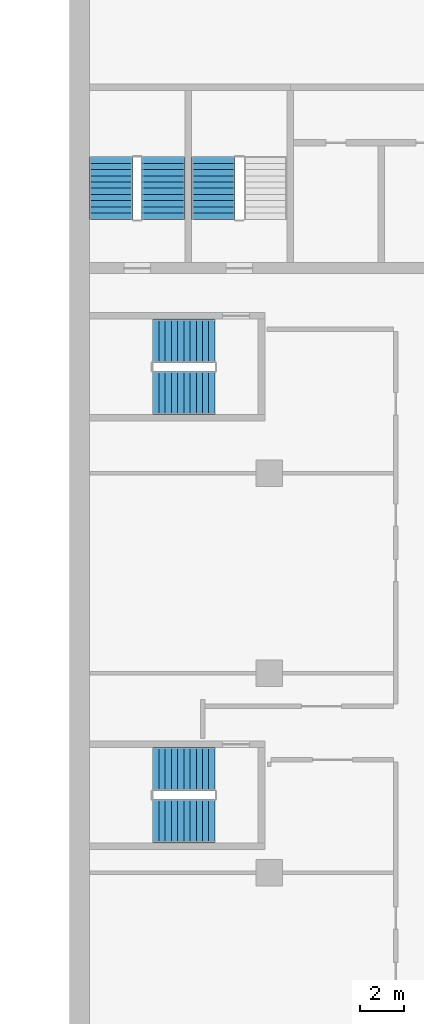
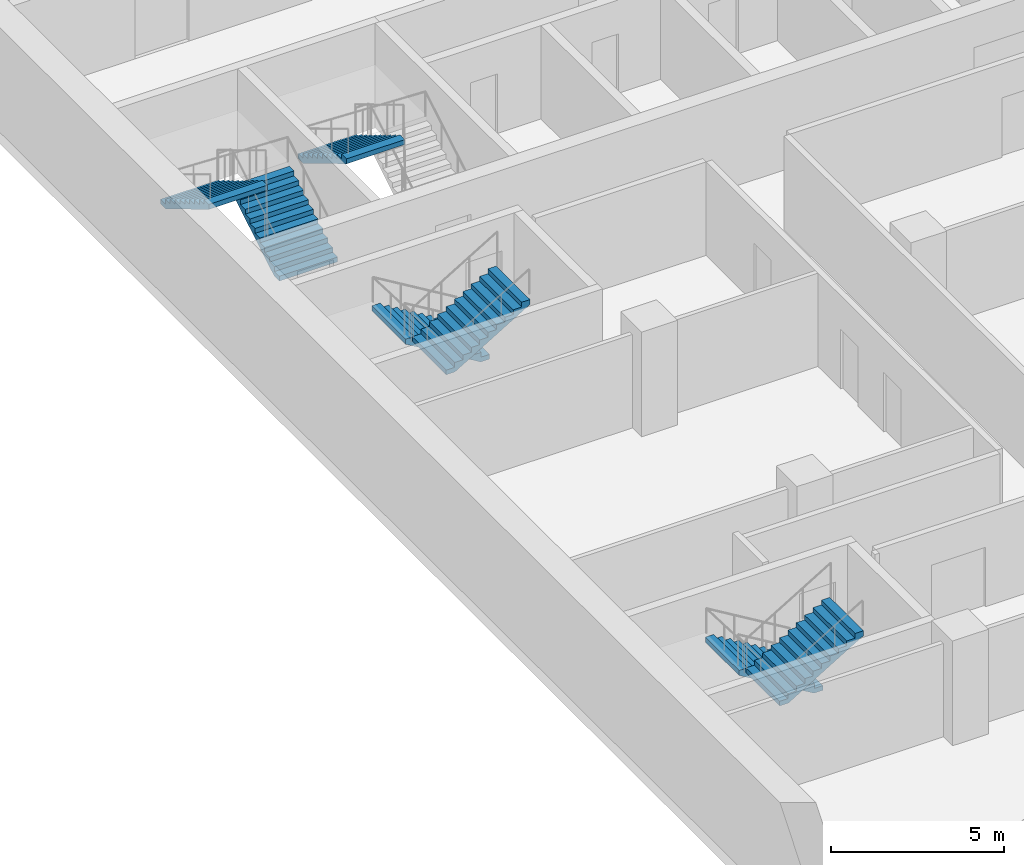
# One storey, part 15 of 22: 7 stair flights, 4 elements without a shape of their own.
"""IFC4 building model written with IfcOpenShell, lengths in metres."""

import ifcopenshell
import ifcopenshell.guid

model = None  # the IFC model being written
_history = None  # IfcOwnerHistory: only IFC2X3 demands one
_inside = {}  # id of a spatial element -> (the spatial element, [elements in it])
_under = {}  # id of a project, library or spatial element -> (it, [spatial elements below it])
_declared = {}  # id of a project -> (the project, [libraries it declares])
_typed = {}  # id of a type object -> (the type object, [elements of that type])
_made_of = {}  # id of a material, layer set ... -> (it, [elements and type objects made of it])


def new_model(schema):
    """Start an empty IFC model of exactly this schema.

    Asked for "IFC4X3", IfcOpenShell would pick the latest addendum, in which some entities
    have other attributes; the version numbers below select the first issue.
    IFC2X3 requires an IfcOwnerHistory on every rooted entity: one is made here for all.
    """
    global model, _history
    if schema == "IFC4X3":
        model = ifcopenshell.file(schema_version=(4, 3, 0, 0))
    else:
        model = ifcopenshell.file(schema=schema)
    _inside.clear()
    _under.clear()
    _declared.clear()
    _typed.clear()
    _made_of.clear()
    _history = None
    if model.schema == "IFC2X3":
        org = make("IfcOrganization", Name="unknown")
        user = make(
            "IfcPersonAndOrganization",
            ThePerson=make("IfcPerson", FamilyName="unknown"),
            TheOrganization=org,
        )
        app = make(
            "IfcApplication",
            ApplicationDeveloper=org,
            Version="unknown",
            ApplicationFullName="unknown",
            ApplicationIdentifier="unknown",
        )
        _history = make(
            "IfcOwnerHistory",
            OwningUser=user,
            OwningApplication=app,
            ChangeAction="ADDED",
            CreationDate=0,
        )
    return model


def make(cls, **values):
    """One entity of the class cls with the attributes given. An attribute that is None is left unset."""
    return model.create_entity(
        cls, **{name: value for name, value in values.items() if value is not None}
    )


def rooted(cls, **values):
    """An entity with a GlobalId (a new one), such as an element, a storey or a relation."""
    return make(cls, GlobalId=ifcopenshell.guid.new(), OwnerHistory=_history, **values)


def si_unit(unit_type, name, prefix=None):
    """IfcSIUnit, for example si_unit("LENGTHUNIT", "METRE", prefix="MILLI")."""
    return make("IfcSIUnit", UnitType=unit_type, Prefix=prefix, Name=name)


def assignment(units):
    """IfcUnitAssignment: the units of a project."""
    return None if units is None else make("IfcUnitAssignment", Units=units)


def point(xyz):
    """IfcCartesianPoint."""
    return None if xyz is None else make("IfcCartesianPoint", Coordinates=xyz)


def direction(xyz):
    """IfcDirection."""
    return None if xyz is None else make("IfcDirection", DirectionRatios=xyz)


def frame(location, z_axis=None, x_axis=None):
    """IfcAxis2Placement3D, a coordinate frame: its origin and axes. An axis left out is left unset."""
    return make(
        "IfcAxis2Placement3D",
        Location=point(location),
        Axis=direction(z_axis),
        RefDirection=direction(x_axis),
    )


def origin():
    """The frame at (0, 0, 0) with its axes left unset."""
    return frame((0.0, 0.0, 0.0))


def place(relative_to, where):
    """IfcLocalPlacement: puts the frame where relative to a parent placement (None: the world)."""
    return make(
        "IfcLocalPlacement", PlacementRelTo=relative_to, RelativePlacement=where
    )


def context(
    kind, dimensions, precision=None, world=None, true_north=None, identifier=None
):
    """IfcGeometricRepresentationContext, for example the 3D "Model" context."""
    return make(
        "IfcGeometricRepresentationContext",
        ContextIdentifier=identifier,
        ContextType=kind,
        CoordinateSpaceDimension=dimensions,
        Precision=precision,
        WorldCoordinateSystem=world,
        TrueNorth=true_north,
    )


def subcontext(parent, identifier, kind, view, scale=None):
    """IfcGeometricRepresentationSubContext, for example "Body" below "Model"."""
    return make(
        "IfcGeometricRepresentationSubContext",
        ContextIdentifier=identifier,
        ContextType=kind,
        ParentContext=parent,
        TargetScale=scale,
        TargetView=view,
    )


def project(units=None, contexts=None):
    """IfcProject with its units and contexts."""
    return rooted(
        "IfcProject",
        Name="project",
        RepresentationContexts=contexts,
        UnitsInContext=assignment(units),
    )


def spatial(cls, under=None, at=None, **own):
    """A site, building, storey or space (cls), placed at a placement, below another one or the project."""
    s = rooted(cls, ObjectPlacement=at, **own)
    if under is not None:
        _under.setdefault(under.id(), (under, []))[1].append(s)
    return s


def polyline(points):
    """IfcPolyline through the points."""
    return make("IfcPolyline", Points=[point(p) for p in points])


def outline(outer, holes=None, kind="AREA"):
    """IfcArbitraryClosedProfileDef: a profile drawn as a closed curve; with holes, ...WithVoids."""
    if holes is None:
        return make("IfcArbitraryClosedProfileDef", ProfileType=kind, OuterCurve=outer)
    return make(
        "IfcArbitraryProfileDefWithVoids",
        ProfileType=kind,
        OuterCurve=outer,
        InnerCurves=holes,
    )


def extrude(swept, where, along, depth):
    """IfcExtrudedAreaSolid: the profile swept, set in the frame where, extruded along a direction by depth."""
    return make(
        "IfcExtrudedAreaSolid",
        SweptArea=swept,
        Position=where,
        ExtrudedDirection=direction(along),
        Depth=depth,
    )


def shape(context_of_items, identifier, shape_type, items):
    """IfcShapeRepresentation: the items that make up one representation, for example the "Body"."""
    return make(
        "IfcShapeRepresentation",
        ContextOfItems=context_of_items,
        RepresentationIdentifier=identifier,
        RepresentationType=shape_type,
        Items=items,
    )


def material(Name=None, Category=None):
    """IfcMaterial."""
    return make("IfcMaterial", Name=Name, Category=Category)


def made_of(thing, what):
    """Note that an element or type object is made of a material, layer set ...; save() writes the relation."""
    if what is not None:
        _made_of.setdefault(what.id(), (what, []))[1].append(thing)
    return thing


def type_object(cls, material=None, **own):
    """A type object (cls), such as IfcWallType, which elements share."""
    return made_of(rooted(cls, **own), material)


def element(
    cls,
    number,
    at=None,
    inside=None,
    cuts=None,
    type_object=None,
    material=None,
    context=None,
    identifier="Body",
    shape_type=None,
    held_by="IfcProductDefinitionShape",
    body=None,
    shapes=None,
    **own,
):
    """One element of the class cls, such as IfcWall. Its Tag is "e" and its number.

    at: its placement. inside: the storey or other place that contains it. cuts: it is an
    opening in that element (IfcRelVoidsElement). A single representation is given by context,
    identifier, shape_type and body (its items); several are given by shapes. held_by: the class
    of the entity that holds the representations. save() writes the other relations.
    """
    e = rooted(cls, Tag="e%d" % number, ObjectPlacement=at, **own)
    if body is not None:
        shapes = [shape(context, identifier, shape_type, body)]
    if shapes is not None:
        e.Representation = make(held_by, Representations=shapes)
    if inside is not None:
        _inside.setdefault(inside.id(), (inside, []))[1].append(e)
    if cuts is not None:
        rooted(
            "IfcRelVoidsElement", RelatingBuildingElement=cuts, RelatedOpeningElement=e
        )
    if type_object is not None:
        _typed.setdefault(type_object.id(), (type_object, []))[1].append(e)
    return made_of(e, material)


def aggregate(whole, parts):
    """IfcRelAggregates: a whole, such as a stair, and the parts it consists of."""
    return rooted("IfcRelAggregates", RelatingObject=whole, RelatedObjects=parts)


def save(model, path):
    """Write the relations noted so far, then the file.

    IfcRelAggregates (storeys below a building ...), IfcRelContainedInSpatialStructure (elements
    in a storey), IfcRelDefinesByType, IfcRelAssociatesMaterial and IfcRelDeclares: one each for
    every whole, place, type object, material and project.
    """
    for whole, parts in _under.values():
        aggregate(whole, parts)
    for where, things in _inside.values():
        rooted(
            "IfcRelContainedInSpatialStructure",
            RelatedElements=things,
            RelatingStructure=where,
        )
    for kind, things in _typed.values():
        rooted("IfcRelDefinesByType", RelatedObjects=things, RelatingType=kind)
    for what, things in _made_of.values():
        rooted("IfcRelAssociatesMaterial", RelatedObjects=things, RelatingMaterial=what)
    for by, libraries in _declared.values():
        rooted("IfcRelDeclares", RelatingContext=by, RelatedDefinitions=libraries)
    model.write(path)


model = new_model("IFC4")

# Units and contexts
model_context = context("Model", 3, precision=1e-05, world=origin(), true_north=direction((0.0, 1.0)))
body_context = subcontext(model_context, "Body", "Model", "MODEL_VIEW")
ifc_project = project(units=[si_unit("LENGTHUNIT", "METRE"), si_unit("AREAUNIT", "SQUARE_METRE"), si_unit("VOLUMEUNIT", "CUBIC_METRE"), si_unit("PLANEANGLEUNIT", "RADIAN"), si_unit("MASSUNIT", "GRAM", prefix="KILO")], contexts=[model_context])

# Site, building, storey
site_placement = place(None, origin())
site = spatial("IfcSite", under=ifc_project, at=site_placement, CompositionType="ELEMENT")
building_placement = place(site_placement, origin())
building = spatial("IfcBuilding", under=site, at=building_placement, Name="Hunhe Ridgeline Campus", CompositionType="ELEMENT")
storey_placement = place(building_placement, frame((0.0, 0.0, 133.800048828125)))
storey = spatial("IfcBuildingStorey", under=building, at=storey_placement, Name="L33", CompositionType="ELEMENT", Elevation=133.800048828125)

# Stair, stair flights
ifc_material = material(Name="Concrete C40", Category="concrete")
stair_type = type_object("IfcStairType", Name="Reinforced concrete dog-leg stair 1950 Concrete C40", PredefinedType="HALF_TURN_STAIR", material=ifc_material)
stair_1_placement = place(storey_placement, origin())
stair_1 = element("IfcStair", 1, at=stair_1_placement, inside=storey, type_object=stair_type, Name="L33 S3", PredefinedType="HALF_TURN_STAIR")
stair_flight_type = type_object("IfcStairFlightType", Name="Reinforced concrete stair flight 1950 Concrete C40", PredefinedType="STRAIGHT", material=ifc_material)
stair_flight_1_placement = place(storey_placement, frame((4.22509765625, 65.449951171875, 0.0), z_axis=(0.0, 0.0, 1.0), x_axis=(0.0, 1.0, 0.0)))
stair_flight_1 = element("IfcStairFlight", 2, at=stair_flight_1_placement, type_object=stair_flight_type, Name="ST3 flight 1", NumberOfRisers=11, NumberOfTreads=10, PredefinedType="STRAIGHT", RiserHeight=0.168181818, TreadLength=0.28, context=body_context, shape_type="SweptSolid", body=[
    extrude(outline(polyline([(0.0, 0.0), (0.0, 0.168212890625), (0.280029296875, 0.168212890625), (0.280029296875, 0.33642578125), (0.56005859375, 0.33642578125), (0.56005859375, 0.504638671875), (0.840087890625, 0.504638671875), (0.840087890625, 0.672607421875), (1.1201171875, 0.672607421875), (1.1201171875, 0.8408203125), (1.39990234375, 0.8408203125), (1.39990234375, 1.009033203125), (1.679931640625, 1.009033203125), (1.679931640625, 1.17724609375), (1.9599609375, 1.17724609375), (1.9599609375, 1.345458984375), (2.239990234375, 1.345458984375), (2.239990234375, 1.513671875), (2.52001953125, 1.513671875), (2.52001953125, 1.681884765625), (2.800048828125, 1.681884765625), (2.800048828125, 1.85009765625), (2.800048828125, 1.5068359375), (0.291015625, 0.0), (0.0, 0.0)])), frame((0.0, 0.97509765625, 0.0), z_axis=(0.0, -1.0, 0.0), x_axis=(1.0, 0.0, 0.0)), (0.0, 0.0, 1.0), 1.949951171875),
    extrude(outline(polyline([(0.030029296875, 0.030029296875), (0.030029296875, 0.13818359375), (0.31005859375, 0.13818359375), (0.31005859375, 0.306396484375), (0.590087890625, 0.306396484375), (0.590087890625, 0.474609375), (0.8701171875, 0.474609375), (0.8701171875, 0.642578125), (1.14990234375, 0.642578125), (1.14990234375, 0.810791015625), (1.429931640625, 0.810791015625), (1.429931640625, 0.97900390625), (1.7099609375, 0.97900390625), (1.7099609375, 1.147216796875), (1.989990234375, 1.147216796875), (1.989990234375, 1.3154296875), (2.27001953125, 1.3154296875), (2.27001953125, 1.483642578125), (2.550048828125, 1.483642578125), (2.550048828125, 1.65185546875), (2.77001953125, 1.65185546875), (2.77001953125, 1.52392578125), (0.28271484375, 0.030029296875), (0.030029296875, 0.030029296875)])), frame((0.0, -0.070068359375, 0.0), z_axis=(0.0, -1.0, 0.0), x_axis=(1.0, 0.0, 0.0)), (0.0, 0.0, 1.0), 0.019775390625),
    extrude(outline(polyline([(0.030029296875, 0.030029296875), (0.030029296875, 0.13818359375), (0.31005859375, 0.13818359375), (0.31005859375, 0.306396484375), (0.590087890625, 0.306396484375), (0.590087890625, 0.474609375), (0.8701171875, 0.474609375), (0.8701171875, 0.642578125), (1.14990234375, 0.642578125), (1.14990234375, 0.810791015625), (1.429931640625, 0.810791015625), (1.429931640625, 0.97900390625), (1.7099609375, 0.97900390625), (1.7099609375, 1.147216796875), (1.989990234375, 1.147216796875), (1.989990234375, 1.3154296875), (2.27001953125, 1.3154296875), (2.27001953125, 1.483642578125), (2.550048828125, 1.483642578125), (2.550048828125, 1.65185546875), (2.77001953125, 1.65185546875), (2.77001953125, 1.52392578125), (0.28271484375, 0.030029296875), (0.030029296875, 0.030029296875)])), frame((0.0, 0.010009765625, 0.0), z_axis=(0.0, -1.0, 0.0), x_axis=(1.0, 0.0, 0.0)), (0.0, 0.0, 1.0), 0.019775390625),
    extrude(outline(polyline([(0.030029296875, 0.030029296875), (0.030029296875, 0.13818359375), (0.31005859375, 0.13818359375), (0.31005859375, 0.306396484375), (0.590087890625, 0.306396484375), (0.590087890625, 0.474609375), (0.8701171875, 0.474609375), (0.8701171875, 0.642578125), (1.14990234375, 0.642578125), (1.14990234375, 0.810791015625), (1.429931640625, 0.810791015625), (1.429931640625, 0.97900390625), (1.7099609375, 0.97900390625), (1.7099609375, 1.147216796875), (1.989990234375, 1.147216796875), (1.989990234375, 1.3154296875), (2.27001953125, 1.3154296875), (2.27001953125, 1.483642578125), (2.550048828125, 1.483642578125), (2.550048828125, 1.65185546875), (2.77001953125, 1.65185546875), (2.77001953125, 1.52392578125), (0.28271484375, 0.030029296875), (0.030029296875, 0.030029296875)])), frame((0.0, 0.090087890625, 0.0), z_axis=(0.0, -1.0, 0.0), x_axis=(1.0, 0.0, 0.0)), (0.0, 0.0, 1.0), 0.019775390625),
])
stair_flight_2_placement = place(storey_placement, frame((1.875, 68.25, 1.849853515625), z_axis=(0.0, 0.0, 1.0), x_axis=(0.0, -1.0, 0.0)))
stair_flight_2 = element("IfcStairFlight", 3, at=stair_flight_2_placement, type_object=stair_flight_type, Name="ST3 flight 2", NumberOfRisers=11, NumberOfTreads=10, PredefinedType="STRAIGHT", RiserHeight=0.168181818, TreadLength=0.28, context=body_context, shape_type="SweptSolid", body=[
    extrude(outline(polyline([(0.0, 0.0), (0.0, 0.168212890625), (0.280029296875, 0.168212890625), (0.280029296875, 0.33642578125), (0.56005859375, 0.33642578125), (0.56005859375, 0.504638671875), (0.840087890625, 0.504638671875), (0.840087890625, 0.672607421875), (1.1201171875, 0.672607421875), (1.1201171875, 0.8408203125), (1.39990234375, 0.8408203125), (1.39990234375, 1.009033203125), (1.679931640625, 1.009033203125), (1.679931640625, 1.17724609375), (1.9599609375, 1.17724609375), (1.9599609375, 1.345458984375), (2.239990234375, 1.345458984375), (2.239990234375, 1.513671875), (2.52001953125, 1.513671875), (2.52001953125, 1.681884765625), (2.800048828125, 1.681884765625), (2.800048828125, 1.85009765625), (2.800048828125, 1.5068359375), (0.291015625, 0.0), (0.0, 0.0)])), frame((0.0, 0.97509765625, 0.0), z_axis=(0.0, -1.0, 0.0), x_axis=(1.0, 0.0, 0.0)), (0.0, 0.0, 1.0), 1.949951171875),
    extrude(outline(polyline([(0.030029296875, 0.030029296875), (0.030029296875, 0.13818359375), (0.31005859375, 0.13818359375), (0.31005859375, 0.306396484375), (0.590087890625, 0.306396484375), (0.590087890625, 0.474609375), (0.8701171875, 0.474609375), (0.8701171875, 0.642578125), (1.14990234375, 0.642578125), (1.14990234375, 0.810791015625), (1.429931640625, 0.810791015625), (1.429931640625, 0.97900390625), (1.7099609375, 0.97900390625), (1.7099609375, 1.147216796875), (1.989990234375, 1.147216796875), (1.989990234375, 1.3154296875), (2.27001953125, 1.3154296875), (2.27001953125, 1.483642578125), (2.550048828125, 1.483642578125), (2.550048828125, 1.65185546875), (2.77001953125, 1.65185546875), (2.77001953125, 1.52392578125), (0.28271484375, 0.030029296875), (0.030029296875, 0.030029296875)])), frame((0.0, -0.070068359375, 0.0), z_axis=(0.0, -1.0, 0.0), x_axis=(1.0, 0.0, 0.0)), (0.0, 0.0, 1.0), 0.019775390625),
    extrude(outline(polyline([(0.030029296875, 0.030029296875), (0.030029296875, 0.13818359375), (0.31005859375, 0.13818359375), (0.31005859375, 0.306396484375), (0.590087890625, 0.306396484375), (0.590087890625, 0.474609375), (0.8701171875, 0.474609375), (0.8701171875, 0.642578125), (1.14990234375, 0.642578125), (1.14990234375, 0.810791015625), (1.429931640625, 0.810791015625), (1.429931640625, 0.97900390625), (1.7099609375, 0.97900390625), (1.7099609375, 1.147216796875), (1.989990234375, 1.147216796875), (1.989990234375, 1.3154296875), (2.27001953125, 1.3154296875), (2.27001953125, 1.483642578125), (2.550048828125, 1.483642578125), (2.550048828125, 1.65185546875), (2.77001953125, 1.65185546875), (2.77001953125, 1.52392578125), (0.28271484375, 0.030029296875), (0.030029296875, 0.030029296875)])), frame((0.0, 0.010009765625, 0.0), z_axis=(0.0, -1.0, 0.0), x_axis=(1.0, 0.0, 0.0)), (0.0, 0.0, 1.0), 0.019775390625),
    extrude(outline(polyline([(0.030029296875, 0.030029296875), (0.030029296875, 0.13818359375), (0.31005859375, 0.13818359375), (0.31005859375, 0.306396484375), (0.590087890625, 0.306396484375), (0.590087890625, 0.474609375), (0.8701171875, 0.474609375), (0.8701171875, 0.642578125), (1.14990234375, 0.642578125), (1.14990234375, 0.810791015625), (1.429931640625, 0.810791015625), (1.429931640625, 0.97900390625), (1.7099609375, 0.97900390625), (1.7099609375, 1.147216796875), (1.989990234375, 1.147216796875), (1.989990234375, 1.3154296875), (2.27001953125, 1.3154296875), (2.27001953125, 1.483642578125), (2.550048828125, 1.483642578125), (2.550048828125, 1.65185546875), (2.77001953125, 1.65185546875), (2.77001953125, 1.52392578125), (0.28271484375, 0.030029296875), (0.030029296875, 0.030029296875)])), frame((0.0, 0.090087890625, 0.0), z_axis=(0.0, -1.0, 0.0), x_axis=(1.0, 0.0, 0.0)), (0.0, 0.0, 1.0), 0.019775390625),
])
aggregate(stair_1, [stair_flight_1, stair_flight_2])

# Stair, stair flight
stair_2_placement = place(storey_placement, origin())
stair_2 = element("IfcStair", 4, at=stair_2_placement, inside=storey, type_object=stair_type, Name="L33 S4", PredefinedType="HALF_TURN_STAIR")
stair_flight_3_placement = place(storey_placement, frame((6.47509765625, 68.25, 1.849853515625), z_axis=(0.0, 0.0, 1.0), x_axis=(0.0, -1.0, 0.0)))
stair_flight_3 = element("IfcStairFlight", 5, at=stair_flight_3_placement, type_object=stair_flight_type, Name="ST4 flight 2", NumberOfRisers=11, NumberOfTreads=10, PredefinedType="STRAIGHT", RiserHeight=0.168181818, TreadLength=0.28, context=body_context, shape_type="SweptSolid", body=[
    extrude(outline(polyline([(0.0, 0.0), (0.0, 0.168212890625), (0.280029296875, 0.168212890625), (0.280029296875, 0.33642578125), (0.56005859375, 0.33642578125), (0.56005859375, 0.504638671875), (0.840087890625, 0.504638671875), (0.840087890625, 0.672607421875), (1.1201171875, 0.672607421875), (1.1201171875, 0.8408203125), (1.39990234375, 0.8408203125), (1.39990234375, 1.009033203125), (1.679931640625, 1.009033203125), (1.679931640625, 1.17724609375), (1.9599609375, 1.17724609375), (1.9599609375, 1.345458984375), (2.239990234375, 1.345458984375), (2.239990234375, 1.513671875), (2.52001953125, 1.513671875), (2.52001953125, 1.681884765625), (2.800048828125, 1.681884765625), (2.800048828125, 1.85009765625), (2.800048828125, 1.5068359375), (0.291015625, 0.0), (0.0, 0.0)])), frame((0.0, 0.97509765625, 0.0), z_axis=(0.0, -1.0, 0.0), x_axis=(1.0, 0.0, 0.0)), (0.0, 0.0, 1.0), 1.949951171875),
    extrude(outline(polyline([(0.030029296875, 0.030029296875), (0.030029296875, 0.13818359375), (0.31005859375, 0.13818359375), (0.31005859375, 0.306396484375), (0.590087890625, 0.306396484375), (0.590087890625, 0.474609375), (0.8701171875, 0.474609375), (0.8701171875, 0.642578125), (1.14990234375, 0.642578125), (1.14990234375, 0.810791015625), (1.429931640625, 0.810791015625), (1.429931640625, 0.97900390625), (1.7099609375, 0.97900390625), (1.7099609375, 1.147216796875), (1.989990234375, 1.147216796875), (1.989990234375, 1.3154296875), (2.27001953125, 1.3154296875), (2.27001953125, 1.483642578125), (2.550048828125, 1.483642578125), (2.550048828125, 1.65185546875), (2.77001953125, 1.65185546875), (2.77001953125, 1.52392578125), (0.28271484375, 0.030029296875), (0.030029296875, 0.030029296875)])), frame((0.0, -0.070068359375, 0.0), z_axis=(0.0, -1.0, 0.0), x_axis=(1.0, 0.0, 0.0)), (0.0, 0.0, 1.0), 0.019775390625),
    extrude(outline(polyline([(0.030029296875, 0.030029296875), (0.030029296875, 0.13818359375), (0.31005859375, 0.13818359375), (0.31005859375, 0.306396484375), (0.590087890625, 0.306396484375), (0.590087890625, 0.474609375), (0.8701171875, 0.474609375), (0.8701171875, 0.642578125), (1.14990234375, 0.642578125), (1.14990234375, 0.810791015625), (1.429931640625, 0.810791015625), (1.429931640625, 0.97900390625), (1.7099609375, 0.97900390625), (1.7099609375, 1.147216796875), (1.989990234375, 1.147216796875), (1.989990234375, 1.3154296875), (2.27001953125, 1.3154296875), (2.27001953125, 1.483642578125), (2.550048828125, 1.483642578125), (2.550048828125, 1.65185546875), (2.77001953125, 1.65185546875), (2.77001953125, 1.52392578125), (0.28271484375, 0.030029296875), (0.030029296875, 0.030029296875)])), frame((0.0, 0.010009765625, 0.0), z_axis=(0.0, -1.0, 0.0), x_axis=(1.0, 0.0, 0.0)), (0.0, 0.0, 1.0), 0.019775390625),
    extrude(outline(polyline([(0.030029296875, 0.030029296875), (0.030029296875, 0.13818359375), (0.31005859375, 0.13818359375), (0.31005859375, 0.306396484375), (0.590087890625, 0.306396484375), (0.590087890625, 0.474609375), (0.8701171875, 0.474609375), (0.8701171875, 0.642578125), (1.14990234375, 0.642578125), (1.14990234375, 0.810791015625), (1.429931640625, 0.810791015625), (1.429931640625, 0.97900390625), (1.7099609375, 0.97900390625), (1.7099609375, 1.147216796875), (1.989990234375, 1.147216796875), (1.989990234375, 1.3154296875), (2.27001953125, 1.3154296875), (2.27001953125, 1.483642578125), (2.550048828125, 1.483642578125), (2.550048828125, 1.65185546875), (2.77001953125, 1.65185546875), (2.77001953125, 1.52392578125), (0.28271484375, 0.030029296875), (0.030029296875, 0.030029296875)])), frame((0.0, 0.090087890625, 0.0), z_axis=(0.0, -1.0, 0.0), x_axis=(1.0, 0.0, 0.0)), (0.0, 0.0, 1.0), 0.019775390625),
])
aggregate(stair_2, [stair_flight_3])

# Stair, stair flights
stair_3_placement = place(storey_placement, origin())
stair_3 = element("IfcStair", 6, at=stair_3_placement, inside=storey, type_object=stair_type, Name="L33 W1", PredefinedType="HALF_TURN_STAIR")
stair_flight_4_placement = place(storey_placement, frame((6.550048828125, 40.675048828125, 0.0), z_axis=(0.0, 0.0, 1.0), x_axis=(-1.0, 0.0, 0.0)))
stair_flight_4 = element("IfcStairFlight", 7, at=stair_flight_4_placement, type_object=stair_flight_type, Name="ST11 flight 1", NumberOfRisers=11, NumberOfTreads=10, PredefinedType="STRAIGHT", RiserHeight=0.168181818, TreadLength=0.28, context=body_context, shape_type="SweptSolid", body=[
    extrude(outline(polyline([(0.0, 0.0), (0.0, 0.168212890625), (0.280029296875, 0.168212890625), (0.280029296875, 0.33642578125), (0.56005859375, 0.33642578125), (0.56005859375, 0.504638671875), (0.840087890625, 0.504638671875), (0.840087890625, 0.672607421875), (1.1201171875, 0.672607421875), (1.1201171875, 0.8408203125), (1.39990234375, 0.8408203125), (1.39990234375, 1.009033203125), (1.679931640625, 1.009033203125), (1.679931640625, 1.17724609375), (1.9599609375, 1.17724609375), (1.9599609375, 1.345458984375), (2.239990234375, 1.345458984375), (2.239990234375, 1.513671875), (2.52001953125, 1.513671875), (2.52001953125, 1.681884765625), (2.800048828125, 1.681884765625), (2.800048828125, 1.85009765625), (2.800048828125, 1.5068359375), (0.291015625, 0.0), (0.0, 0.0)])), frame((0.0, 0.97509765625, 0.0), z_axis=(0.0, -1.0, 0.0), x_axis=(1.0, 0.0, 0.0)), (0.0, 0.0, 1.0), 1.949951171875),
    extrude(outline(polyline([(0.030029296875, 0.030029296875), (0.030029296875, 0.13818359375), (0.31005859375, 0.13818359375), (0.31005859375, 0.306396484375), (0.590087890625, 0.306396484375), (0.590087890625, 0.474609375), (0.8701171875, 0.474609375), (0.8701171875, 0.642578125), (1.14990234375, 0.642578125), (1.14990234375, 0.810791015625), (1.429931640625, 0.810791015625), (1.429931640625, 0.97900390625), (1.7099609375, 0.97900390625), (1.7099609375, 1.147216796875), (1.989990234375, 1.147216796875), (1.989990234375, 1.3154296875), (2.27001953125, 1.3154296875), (2.27001953125, 1.483642578125), (2.550048828125, 1.483642578125), (2.550048828125, 1.65185546875), (2.77001953125, 1.65185546875), (2.77001953125, 1.52392578125), (0.28271484375, 0.030029296875), (0.030029296875, 0.030029296875)])), frame((0.0, -0.070068359375, 0.0), z_axis=(0.0, -1.0, 0.0), x_axis=(1.0, 0.0, 0.0)), (0.0, 0.0, 1.0), 0.019775390625),
    extrude(outline(polyline([(0.030029296875, 0.030029296875), (0.030029296875, 0.13818359375), (0.31005859375, 0.13818359375), (0.31005859375, 0.306396484375), (0.590087890625, 0.306396484375), (0.590087890625, 0.474609375), (0.8701171875, 0.474609375), (0.8701171875, 0.642578125), (1.14990234375, 0.642578125), (1.14990234375, 0.810791015625), (1.429931640625, 0.810791015625), (1.429931640625, 0.97900390625), (1.7099609375, 0.97900390625), (1.7099609375, 1.147216796875), (1.989990234375, 1.147216796875), (1.989990234375, 1.3154296875), (2.27001953125, 1.3154296875), (2.27001953125, 1.483642578125), (2.550048828125, 1.483642578125), (2.550048828125, 1.65185546875), (2.77001953125, 1.65185546875), (2.77001953125, 1.52392578125), (0.28271484375, 0.030029296875), (0.030029296875, 0.030029296875)])), frame((0.0, 0.010009765625, 0.0), z_axis=(0.0, -1.0, 0.0), x_axis=(1.0, 0.0, 0.0)), (0.0, 0.0, 1.0), 0.019775390625),
    extrude(outline(polyline([(0.030029296875, 0.030029296875), (0.030029296875, 0.13818359375), (0.31005859375, 0.13818359375), (0.31005859375, 0.306396484375), (0.590087890625, 0.306396484375), (0.590087890625, 0.474609375), (0.8701171875, 0.474609375), (0.8701171875, 0.642578125), (1.14990234375, 0.642578125), (1.14990234375, 0.810791015625), (1.429931640625, 0.810791015625), (1.429931640625, 0.97900390625), (1.7099609375, 0.97900390625), (1.7099609375, 1.147216796875), (1.989990234375, 1.147216796875), (1.989990234375, 1.3154296875), (2.27001953125, 1.3154296875), (2.27001953125, 1.483642578125), (2.550048828125, 1.483642578125), (2.550048828125, 1.65185546875), (2.77001953125, 1.65185546875), (2.77001953125, 1.52392578125), (0.28271484375, 0.030029296875), (0.030029296875, 0.030029296875)])), frame((0.0, 0.090087890625, 0.0), z_axis=(0.0, -1.0, 0.0), x_axis=(1.0, 0.0, 0.0)), (0.0, 0.0, 1.0), 0.019775390625),
])
stair_flight_5_placement = place(storey_placement, frame((3.75, 38.324951171875, 1.849853515625), z_axis=(0.0, 0.0, 1.0), x_axis=(1.0, 0.0, 0.0)))
stair_flight_5 = element("IfcStairFlight", 8, at=stair_flight_5_placement, type_object=stair_flight_type, Name="ST11 flight 2", NumberOfRisers=11, NumberOfTreads=10, PredefinedType="STRAIGHT", RiserHeight=0.168181818, TreadLength=0.28, context=body_context, shape_type="SweptSolid", body=[
    extrude(outline(polyline([(0.0, 0.0), (0.0, 0.168212890625), (0.280029296875, 0.168212890625), (0.280029296875, 0.33642578125), (0.56005859375, 0.33642578125), (0.56005859375, 0.504638671875), (0.840087890625, 0.504638671875), (0.840087890625, 0.672607421875), (1.1201171875, 0.672607421875), (1.1201171875, 0.8408203125), (1.39990234375, 0.8408203125), (1.39990234375, 1.009033203125), (1.679931640625, 1.009033203125), (1.679931640625, 1.17724609375), (1.9599609375, 1.17724609375), (1.9599609375, 1.345458984375), (2.239990234375, 1.345458984375), (2.239990234375, 1.513671875), (2.52001953125, 1.513671875), (2.52001953125, 1.681884765625), (2.800048828125, 1.681884765625), (2.800048828125, 1.85009765625), (2.800048828125, 1.5068359375), (0.291015625, 0.0), (0.0, 0.0)])), frame((0.0, 0.97509765625, 0.0), z_axis=(0.0, -1.0, 0.0), x_axis=(1.0, 0.0, 0.0)), (0.0, 0.0, 1.0), 1.949951171875),
    extrude(outline(polyline([(0.030029296875, 0.030029296875), (0.030029296875, 0.13818359375), (0.31005859375, 0.13818359375), (0.31005859375, 0.306396484375), (0.590087890625, 0.306396484375), (0.590087890625, 0.474609375), (0.8701171875, 0.474609375), (0.8701171875, 0.642578125), (1.14990234375, 0.642578125), (1.14990234375, 0.810791015625), (1.429931640625, 0.810791015625), (1.429931640625, 0.97900390625), (1.7099609375, 0.97900390625), (1.7099609375, 1.147216796875), (1.989990234375, 1.147216796875), (1.989990234375, 1.3154296875), (2.27001953125, 1.3154296875), (2.27001953125, 1.483642578125), (2.550048828125, 1.483642578125), (2.550048828125, 1.65185546875), (2.77001953125, 1.65185546875), (2.77001953125, 1.52392578125), (0.28271484375, 0.030029296875), (0.030029296875, 0.030029296875)])), frame((0.0, -0.070068359375, 0.0), z_axis=(0.0, -1.0, 0.0), x_axis=(1.0, 0.0, 0.0)), (0.0, 0.0, 1.0), 0.019775390625),
    extrude(outline(polyline([(0.030029296875, 0.030029296875), (0.030029296875, 0.13818359375), (0.31005859375, 0.13818359375), (0.31005859375, 0.306396484375), (0.590087890625, 0.306396484375), (0.590087890625, 0.474609375), (0.8701171875, 0.474609375), (0.8701171875, 0.642578125), (1.14990234375, 0.642578125), (1.14990234375, 0.810791015625), (1.429931640625, 0.810791015625), (1.429931640625, 0.97900390625), (1.7099609375, 0.97900390625), (1.7099609375, 1.147216796875), (1.989990234375, 1.147216796875), (1.989990234375, 1.3154296875), (2.27001953125, 1.3154296875), (2.27001953125, 1.483642578125), (2.550048828125, 1.483642578125), (2.550048828125, 1.65185546875), (2.77001953125, 1.65185546875), (2.77001953125, 1.52392578125), (0.28271484375, 0.030029296875), (0.030029296875, 0.030029296875)])), frame((0.0, 0.010009765625, 0.0), z_axis=(0.0, -1.0, 0.0), x_axis=(1.0, 0.0, 0.0)), (0.0, 0.0, 1.0), 0.019775390625),
    extrude(outline(polyline([(0.030029296875, 0.030029296875), (0.030029296875, 0.13818359375), (0.31005859375, 0.13818359375), (0.31005859375, 0.306396484375), (0.590087890625, 0.306396484375), (0.590087890625, 0.474609375), (0.8701171875, 0.474609375), (0.8701171875, 0.642578125), (1.14990234375, 0.642578125), (1.14990234375, 0.810791015625), (1.429931640625, 0.810791015625), (1.429931640625, 0.97900390625), (1.7099609375, 0.97900390625), (1.7099609375, 1.147216796875), (1.989990234375, 1.147216796875), (1.989990234375, 1.3154296875), (2.27001953125, 1.3154296875), (2.27001953125, 1.483642578125), (2.550048828125, 1.483642578125), (2.550048828125, 1.65185546875), (2.77001953125, 1.65185546875), (2.77001953125, 1.52392578125), (0.28271484375, 0.030029296875), (0.030029296875, 0.030029296875)])), frame((0.0, 0.090087890625, 0.0), z_axis=(0.0, -1.0, 0.0), x_axis=(1.0, 0.0, 0.0)), (0.0, 0.0, 1.0), 0.019775390625),
])
aggregate(stair_3, [stair_flight_4, stair_flight_5])

stair_4_placement = place(storey_placement, origin())
stair_4 = element("IfcStair", 9, at=stair_4_placement, inside=storey, type_object=stair_type, Name="L33 W2", PredefinedType="HALF_TURN_STAIR")
stair_flight_6_placement = place(storey_placement, frame((6.550048828125, 59.97509765625, 0.0), z_axis=(0.0, 0.0, 1.0), x_axis=(-1.0, 0.0, 0.0)))
stair_flight_6 = element("IfcStairFlight", 10, at=stair_flight_6_placement, type_object=stair_flight_type, Name="ST12 flight 1", NumberOfRisers=11, NumberOfTreads=10, PredefinedType="STRAIGHT", RiserHeight=0.168181818, TreadLength=0.28, context=body_context, shape_type="SweptSolid", body=[
    extrude(outline(polyline([(0.0, 0.0), (0.0, 0.168212890625), (0.280029296875, 0.168212890625), (0.280029296875, 0.33642578125), (0.56005859375, 0.33642578125), (0.56005859375, 0.504638671875), (0.840087890625, 0.504638671875), (0.840087890625, 0.672607421875), (1.1201171875, 0.672607421875), (1.1201171875, 0.8408203125), (1.39990234375, 0.8408203125), (1.39990234375, 1.009033203125), (1.679931640625, 1.009033203125), (1.679931640625, 1.17724609375), (1.9599609375, 1.17724609375), (1.9599609375, 1.345458984375), (2.239990234375, 1.345458984375), (2.239990234375, 1.513671875), (2.52001953125, 1.513671875), (2.52001953125, 1.681884765625), (2.800048828125, 1.681884765625), (2.800048828125, 1.85009765625), (2.800048828125, 1.5068359375), (0.291015625, 0.0), (0.0, 0.0)])), frame((0.0, 0.97509765625, 0.0), z_axis=(0.0, -1.0, 0.0), x_axis=(1.0, 0.0, 0.0)), (0.0, 0.0, 1.0), 1.949951171875),
    extrude(outline(polyline([(0.030029296875, 0.030029296875), (0.030029296875, 0.13818359375), (0.31005859375, 0.13818359375), (0.31005859375, 0.306396484375), (0.590087890625, 0.306396484375), (0.590087890625, 0.474609375), (0.8701171875, 0.474609375), (0.8701171875, 0.642578125), (1.14990234375, 0.642578125), (1.14990234375, 0.810791015625), (1.429931640625, 0.810791015625), (1.429931640625, 0.97900390625), (1.7099609375, 0.97900390625), (1.7099609375, 1.147216796875), (1.989990234375, 1.147216796875), (1.989990234375, 1.3154296875), (2.27001953125, 1.3154296875), (2.27001953125, 1.483642578125), (2.550048828125, 1.483642578125), (2.550048828125, 1.65185546875), (2.77001953125, 1.65185546875), (2.77001953125, 1.52392578125), (0.28271484375, 0.030029296875), (0.030029296875, 0.030029296875)])), frame((0.0, -0.070068359375, 0.0), z_axis=(0.0, -1.0, 0.0), x_axis=(1.0, 0.0, 0.0)), (0.0, 0.0, 1.0), 0.019775390625),
    extrude(outline(polyline([(0.030029296875, 0.030029296875), (0.030029296875, 0.13818359375), (0.31005859375, 0.13818359375), (0.31005859375, 0.306396484375), (0.590087890625, 0.306396484375), (0.590087890625, 0.474609375), (0.8701171875, 0.474609375), (0.8701171875, 0.642578125), (1.14990234375, 0.642578125), (1.14990234375, 0.810791015625), (1.429931640625, 0.810791015625), (1.429931640625, 0.97900390625), (1.7099609375, 0.97900390625), (1.7099609375, 1.147216796875), (1.989990234375, 1.147216796875), (1.989990234375, 1.3154296875), (2.27001953125, 1.3154296875), (2.27001953125, 1.483642578125), (2.550048828125, 1.483642578125), (2.550048828125, 1.65185546875), (2.77001953125, 1.65185546875), (2.77001953125, 1.52392578125), (0.28271484375, 0.030029296875), (0.030029296875, 0.030029296875)])), frame((0.0, 0.010009765625, 0.0), z_axis=(0.0, -1.0, 0.0), x_axis=(1.0, 0.0, 0.0)), (0.0, 0.0, 1.0), 0.019775390625),
    extrude(outline(polyline([(0.030029296875, 0.030029296875), (0.030029296875, 0.13818359375), (0.31005859375, 0.13818359375), (0.31005859375, 0.306396484375), (0.590087890625, 0.306396484375), (0.590087890625, 0.474609375), (0.8701171875, 0.474609375), (0.8701171875, 0.642578125), (1.14990234375, 0.642578125), (1.14990234375, 0.810791015625), (1.429931640625, 0.810791015625), (1.429931640625, 0.97900390625), (1.7099609375, 0.97900390625), (1.7099609375, 1.147216796875), (1.989990234375, 1.147216796875), (1.989990234375, 1.3154296875), (2.27001953125, 1.3154296875), (2.27001953125, 1.483642578125), (2.550048828125, 1.483642578125), (2.550048828125, 1.65185546875), (2.77001953125, 1.65185546875), (2.77001953125, 1.52392578125), (0.28271484375, 0.030029296875), (0.030029296875, 0.030029296875)])), frame((0.0, 0.090087890625, 0.0), z_axis=(0.0, -1.0, 0.0), x_axis=(1.0, 0.0, 0.0)), (0.0, 0.0, 1.0), 0.019775390625),
])
stair_flight_7_placement = place(storey_placement, frame((3.75, 57.625, 1.849853515625), z_axis=(0.0, 0.0, 1.0), x_axis=(1.0, 0.0, 0.0)))
stair_flight_7 = element("IfcStairFlight", 11, at=stair_flight_7_placement, type_object=stair_flight_type, Name="ST12 flight 2", NumberOfRisers=11, NumberOfTreads=10, PredefinedType="STRAIGHT", RiserHeight=0.168181818, TreadLength=0.28, context=body_context, shape_type="SweptSolid", body=[
    extrude(outline(polyline([(0.0, 0.0), (0.0, 0.168212890625), (0.280029296875, 0.168212890625), (0.280029296875, 0.33642578125), (0.56005859375, 0.33642578125), (0.56005859375, 0.504638671875), (0.840087890625, 0.504638671875), (0.840087890625, 0.672607421875), (1.1201171875, 0.672607421875), (1.1201171875, 0.8408203125), (1.39990234375, 0.8408203125), (1.39990234375, 1.009033203125), (1.679931640625, 1.009033203125), (1.679931640625, 1.17724609375), (1.9599609375, 1.17724609375), (1.9599609375, 1.345458984375), (2.239990234375, 1.345458984375), (2.239990234375, 1.513671875), (2.52001953125, 1.513671875), (2.52001953125, 1.681884765625), (2.800048828125, 1.681884765625), (2.800048828125, 1.85009765625), (2.800048828125, 1.5068359375), (0.291015625, 0.0), (0.0, 0.0)])), frame((0.0, 0.97509765625, 0.0), z_axis=(0.0, -1.0, 0.0), x_axis=(1.0, 0.0, 0.0)), (0.0, 0.0, 1.0), 1.949951171875),
    extrude(outline(polyline([(0.030029296875, 0.030029296875), (0.030029296875, 0.13818359375), (0.31005859375, 0.13818359375), (0.31005859375, 0.306396484375), (0.590087890625, 0.306396484375), (0.590087890625, 0.474609375), (0.8701171875, 0.474609375), (0.8701171875, 0.642578125), (1.14990234375, 0.642578125), (1.14990234375, 0.810791015625), (1.429931640625, 0.810791015625), (1.429931640625, 0.97900390625), (1.7099609375, 0.97900390625), (1.7099609375, 1.147216796875), (1.989990234375, 1.147216796875), (1.989990234375, 1.3154296875), (2.27001953125, 1.3154296875), (2.27001953125, 1.483642578125), (2.550048828125, 1.483642578125), (2.550048828125, 1.65185546875), (2.77001953125, 1.65185546875), (2.77001953125, 1.52392578125), (0.28271484375, 0.030029296875), (0.030029296875, 0.030029296875)])), frame((0.0, -0.070068359375, 0.0), z_axis=(0.0, -1.0, 0.0), x_axis=(1.0, 0.0, 0.0)), (0.0, 0.0, 1.0), 0.019775390625),
    extrude(outline(polyline([(0.030029296875, 0.030029296875), (0.030029296875, 0.13818359375), (0.31005859375, 0.13818359375), (0.31005859375, 0.306396484375), (0.590087890625, 0.306396484375), (0.590087890625, 0.474609375), (0.8701171875, 0.474609375), (0.8701171875, 0.642578125), (1.14990234375, 0.642578125), (1.14990234375, 0.810791015625), (1.429931640625, 0.810791015625), (1.429931640625, 0.97900390625), (1.7099609375, 0.97900390625), (1.7099609375, 1.147216796875), (1.989990234375, 1.147216796875), (1.989990234375, 1.3154296875), (2.27001953125, 1.3154296875), (2.27001953125, 1.483642578125), (2.550048828125, 1.483642578125), (2.550048828125, 1.65185546875), (2.77001953125, 1.65185546875), (2.77001953125, 1.52392578125), (0.28271484375, 0.030029296875), (0.030029296875, 0.030029296875)])), frame((0.0, 0.010009765625, 0.0), z_axis=(0.0, -1.0, 0.0), x_axis=(1.0, 0.0, 0.0)), (0.0, 0.0, 1.0), 0.019775390625),
    extrude(outline(polyline([(0.030029296875, 0.030029296875), (0.030029296875, 0.13818359375), (0.31005859375, 0.13818359375), (0.31005859375, 0.306396484375), (0.590087890625, 0.306396484375), (0.590087890625, 0.474609375), (0.8701171875, 0.474609375), (0.8701171875, 0.642578125), (1.14990234375, 0.642578125), (1.14990234375, 0.810791015625), (1.429931640625, 0.810791015625), (1.429931640625, 0.97900390625), (1.7099609375, 0.97900390625), (1.7099609375, 1.147216796875), (1.989990234375, 1.147216796875), (1.989990234375, 1.3154296875), (2.27001953125, 1.3154296875), (2.27001953125, 1.483642578125), (2.550048828125, 1.483642578125), (2.550048828125, 1.65185546875), (2.77001953125, 1.65185546875), (2.77001953125, 1.52392578125), (0.28271484375, 0.030029296875), (0.030029296875, 0.030029296875)])), frame((0.0, 0.090087890625, 0.0), z_axis=(0.0, -1.0, 0.0), x_axis=(1.0, 0.0, 0.0)), (0.0, 0.0, 1.0), 0.019775390625),
])
aggregate(stair_4, [stair_flight_6, stair_flight_7])

save(model, "model.ifc")
